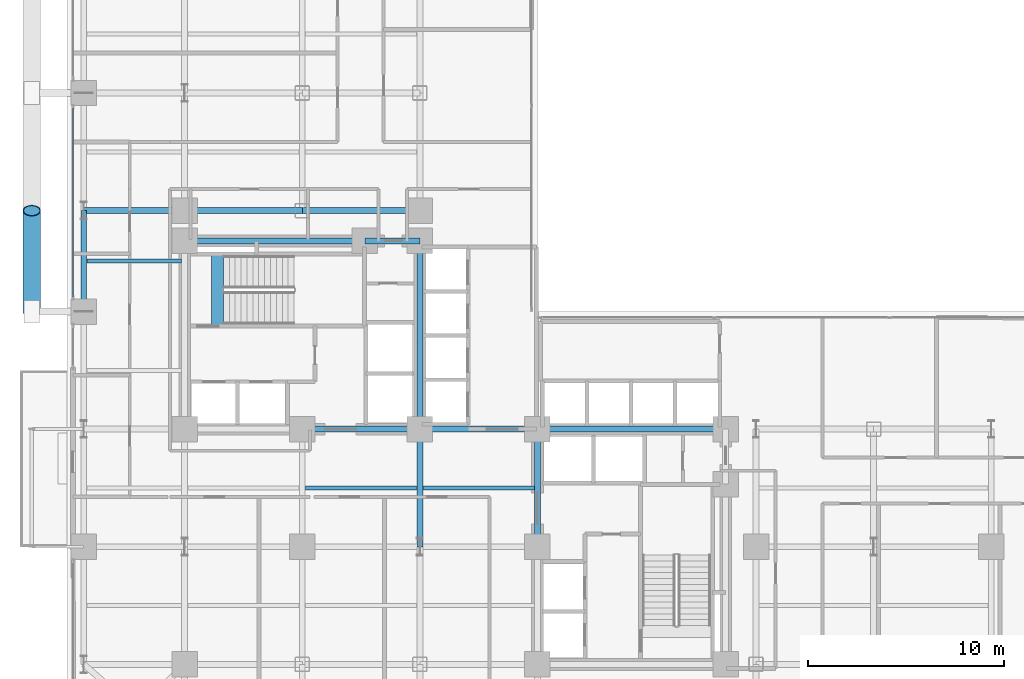
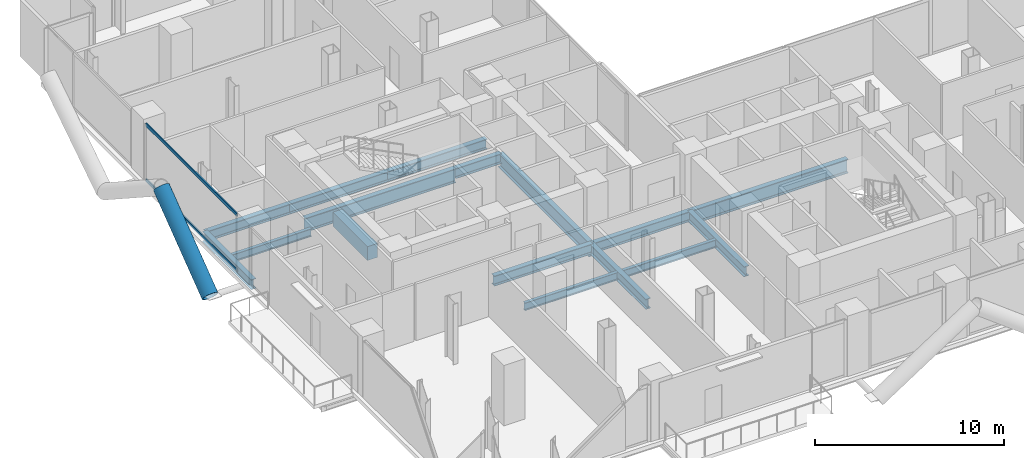
# One storey, part 6 of 25: 16 beams, 3 members, 1 element without a shape of its own.
"""IFC4 building model written with IfcOpenShell, lengths in metres."""

import ifcopenshell
import ifcopenshell.guid

model = None  # the IFC model being written
_history = None  # IfcOwnerHistory: only IFC2X3 demands one
_inside = {}  # id of a spatial element -> (the spatial element, [elements in it])
_under = {}  # id of a project, library or spatial element -> (it, [spatial elements below it])
_declared = {}  # id of a project -> (the project, [libraries it declares])
_typed = {}  # id of a type object -> (the type object, [elements of that type])
_made_of = {}  # id of a material, layer set ... -> (it, [elements and type objects made of it])


def new_model(schema):
    """Start an empty IFC model of exactly this schema.

    Asked for "IFC4X3", IfcOpenShell would pick the latest addendum, in which some entities
    have other attributes; the version numbers below select the first issue.
    IFC2X3 requires an IfcOwnerHistory on every rooted entity: one is made here for all.
    """
    global model, _history
    if schema == "IFC4X3":
        model = ifcopenshell.file(schema_version=(4, 3, 0, 0))
    else:
        model = ifcopenshell.file(schema=schema)
    _inside.clear()
    _under.clear()
    _declared.clear()
    _typed.clear()
    _made_of.clear()
    _history = None
    if model.schema == "IFC2X3":
        org = make("IfcOrganization", Name="unknown")
        user = make(
            "IfcPersonAndOrganization",
            ThePerson=make("IfcPerson", FamilyName="unknown"),
            TheOrganization=org,
        )
        app = make(
            "IfcApplication",
            ApplicationDeveloper=org,
            Version="unknown",
            ApplicationFullName="unknown",
            ApplicationIdentifier="unknown",
        )
        _history = make(
            "IfcOwnerHistory",
            OwningUser=user,
            OwningApplication=app,
            ChangeAction="ADDED",
            CreationDate=0,
        )
    return model


def make(cls, **values):
    """One entity of the class cls with the attributes given. An attribute that is None is left unset."""
    return model.create_entity(
        cls, **{name: value for name, value in values.items() if value is not None}
    )


def rooted(cls, **values):
    """An entity with a GlobalId (a new one), such as an element, a storey or a relation."""
    return make(cls, GlobalId=ifcopenshell.guid.new(), OwnerHistory=_history, **values)


def si_unit(unit_type, name, prefix=None):
    """IfcSIUnit, for example si_unit("LENGTHUNIT", "METRE", prefix="MILLI")."""
    return make("IfcSIUnit", UnitType=unit_type, Prefix=prefix, Name=name)


def assignment(units):
    """IfcUnitAssignment: the units of a project."""
    return None if units is None else make("IfcUnitAssignment", Units=units)


def point(xyz):
    """IfcCartesianPoint."""
    return None if xyz is None else make("IfcCartesianPoint", Coordinates=xyz)


def direction(xyz):
    """IfcDirection."""
    return None if xyz is None else make("IfcDirection", DirectionRatios=xyz)


def frame(location, z_axis=None, x_axis=None):
    """IfcAxis2Placement3D, a coordinate frame: its origin and axes. An axis left out is left unset."""
    return make(
        "IfcAxis2Placement3D",
        Location=point(location),
        Axis=direction(z_axis),
        RefDirection=direction(x_axis),
    )


def frame_2d(location, x_axis=None):
    """IfcAxis2Placement2D, a coordinate frame in the plane: its origin and x axis."""
    return make(
        "IfcAxis2Placement2D", Location=point(location), RefDirection=direction(x_axis)
    )


def origin():
    """The frame at (0, 0, 0) with its axes left unset."""
    return frame((0.0, 0.0, 0.0))


def origin_2d():
    """The frame at (0, 0) in the plane with its x axis left unset."""
    return frame_2d((0.0, 0.0))


def place(relative_to, where):
    """IfcLocalPlacement: puts the frame where relative to a parent placement (None: the world)."""
    return make(
        "IfcLocalPlacement", PlacementRelTo=relative_to, RelativePlacement=where
    )


def context(
    kind, dimensions, precision=None, world=None, true_north=None, identifier=None
):
    """IfcGeometricRepresentationContext, for example the 3D "Model" context."""
    return make(
        "IfcGeometricRepresentationContext",
        ContextIdentifier=identifier,
        ContextType=kind,
        CoordinateSpaceDimension=dimensions,
        Precision=precision,
        WorldCoordinateSystem=world,
        TrueNorth=true_north,
    )


def subcontext(parent, identifier, kind, view, scale=None):
    """IfcGeometricRepresentationSubContext, for example "Body" below "Model"."""
    return make(
        "IfcGeometricRepresentationSubContext",
        ContextIdentifier=identifier,
        ContextType=kind,
        ParentContext=parent,
        TargetScale=scale,
        TargetView=view,
    )


def project(units=None, contexts=None):
    """IfcProject with its units and contexts."""
    return rooted(
        "IfcProject",
        Name="project",
        RepresentationContexts=contexts,
        UnitsInContext=assignment(units),
    )


def spatial(cls, under=None, at=None, **own):
    """A site, building, storey or space (cls), placed at a placement, below another one or the project."""
    s = rooted(cls, ObjectPlacement=at, **own)
    if under is not None:
        _under.setdefault(under.id(), (under, []))[1].append(s)
    return s


def profile(cls, at=None, kind="AREA", **sizes):
    """A parametric profile (cls). Its sizes go by their IFC names, for example OverallWidth=200.0."""
    return make(cls, ProfileType=kind, Position=at, **sizes)


def rectangle(**sizes):
    """IfcRectangleProfileDef."""
    return profile("IfcRectangleProfileDef", **sizes)


def hollow_rectangle(**sizes):
    """IfcRectangleHollowProfileDef."""
    return profile("IfcRectangleHollowProfileDef", **sizes)


def hollow_circle(**sizes):
    """IfcCircleHollowProfileDef."""
    return profile("IfcCircleHollowProfileDef", **sizes)


def i_section(**sizes):
    """IfcIShapeProfileDef."""
    return profile("IfcIShapeProfileDef", **sizes)


def extrude(swept, where, along, depth):
    """IfcExtrudedAreaSolid: the profile swept, set in the frame where, extruded along a direction by depth."""
    return make(
        "IfcExtrudedAreaSolid",
        SweptArea=swept,
        Position=where,
        ExtrudedDirection=direction(along),
        Depth=depth,
    )


def shape(context_of_items, identifier, shape_type, items):
    """IfcShapeRepresentation: the items that make up one representation, for example the "Body"."""
    return make(
        "IfcShapeRepresentation",
        ContextOfItems=context_of_items,
        RepresentationIdentifier=identifier,
        RepresentationType=shape_type,
        Items=items,
    )


def material(Name=None, Category=None):
    """IfcMaterial."""
    return make("IfcMaterial", Name=Name, Category=Category)


def layer(
    of_material, thickness, ventilated=None, Name=None, Category=None, Priority=None
):
    """IfcMaterialLayer: one layer of a wall or slab, of a material (None: an air gap)."""
    return make(
        "IfcMaterialLayer",
        Material=of_material,
        LayerThickness=thickness,
        IsVentilated=ventilated,
        Name=Name,
        Category=Category,
        Priority=Priority,
    )


def layer_set(layers, Name=None):
    """IfcMaterialLayerSet."""
    return make("IfcMaterialLayerSet", MaterialLayers=layers, LayerSetName=Name)


def material_profile(
    of_material, cross_section, Name=None, Category=None, Priority=None
):
    """IfcMaterialProfile: a cross section and its material."""
    return make(
        "IfcMaterialProfile",
        Name=Name,
        Material=of_material,
        Profile=cross_section,
        Priority=Priority,
        Category=Category,
    )


def profile_set(profiles, Name=None, composite=None):
    """IfcMaterialProfileSet."""
    return make(
        "IfcMaterialProfileSet",
        Name=Name,
        MaterialProfiles=profiles,
        CompositeProfile=composite,
    )


def made_of(thing, what):
    """Note that an element or type object is made of a material, layer set ...; save() writes the relation."""
    if what is not None:
        _made_of.setdefault(what.id(), (what, []))[1].append(thing)
    return thing


def type_object(cls, material=None, **own):
    """A type object (cls), such as IfcWallType, which elements share."""
    return made_of(rooted(cls, **own), material)


def element(
    cls,
    number,
    at=None,
    inside=None,
    cuts=None,
    type_object=None,
    material=None,
    context=None,
    identifier="Body",
    shape_type=None,
    held_by="IfcProductDefinitionShape",
    body=None,
    shapes=None,
    **own,
):
    """One element of the class cls, such as IfcWall. Its Tag is "e" and its number.

    at: its placement. inside: the storey or other place that contains it. cuts: it is an
    opening in that element (IfcRelVoidsElement). A single representation is given by context,
    identifier, shape_type and body (its items); several are given by shapes. held_by: the class
    of the entity that holds the representations. save() writes the other relations.
    """
    e = rooted(cls, Tag="e%d" % number, ObjectPlacement=at, **own)
    if body is not None:
        shapes = [shape(context, identifier, shape_type, body)]
    if shapes is not None:
        e.Representation = make(held_by, Representations=shapes)
    if inside is not None:
        _inside.setdefault(inside.id(), (inside, []))[1].append(e)
    if cuts is not None:
        rooted(
            "IfcRelVoidsElement", RelatingBuildingElement=cuts, RelatedOpeningElement=e
        )
    if type_object is not None:
        _typed.setdefault(type_object.id(), (type_object, []))[1].append(e)
    return made_of(e, material)


def aggregate(whole, parts):
    """IfcRelAggregates: a whole, such as a stair, and the parts it consists of."""
    return rooted("IfcRelAggregates", RelatingObject=whole, RelatedObjects=parts)


def save(model, path):
    """Write the relations noted so far, then the file.

    IfcRelAggregates (storeys below a building ...), IfcRelContainedInSpatialStructure (elements
    in a storey), IfcRelDefinesByType, IfcRelAssociatesMaterial and IfcRelDeclares: one each for
    every whole, place, type object, material and project.
    """
    for whole, parts in _under.values():
        aggregate(whole, parts)
    for where, things in _inside.values():
        rooted(
            "IfcRelContainedInSpatialStructure",
            RelatedElements=things,
            RelatingStructure=where,
        )
    for kind, things in _typed.values():
        rooted("IfcRelDefinesByType", RelatedObjects=things, RelatingType=kind)
    for what, things in _made_of.values():
        rooted("IfcRelAssociatesMaterial", RelatedObjects=things, RelatingMaterial=what)
    for by, libraries in _declared.values():
        rooted("IfcRelDeclares", RelatingContext=by, RelatedDefinitions=libraries)
    model.write(path)


model = new_model("IFC4")

# Units and contexts
model_context = context("Model", 3, precision=1e-05, world=origin(), true_north=direction((0.0, 1.0)))
body_context = subcontext(model_context, "Body", "Model", "MODEL_VIEW")
ifc_project = project(units=[si_unit("LENGTHUNIT", "METRE"), si_unit("AREAUNIT", "SQUARE_METRE"), si_unit("VOLUMEUNIT", "CUBIC_METRE"), si_unit("PLANEANGLEUNIT", "RADIAN"), si_unit("MASSUNIT", "GRAM", prefix="KILO"), si_unit("THERMODYNAMICTEMPERATUREUNIT", "KELVIN"), si_unit("POWERUNIT", "WATT")], contexts=[model_context])

# Site, building, storey
site_placement = place(None, origin())
site = spatial("IfcSite", under=ifc_project, at=site_placement, CompositionType="ELEMENT")
building_placement = place(site_placement, origin())
building = spatial("IfcBuilding", under=site, at=building_placement, Name="Svarakhadi Broadcast Tower", CompositionType="ELEMENT")
storey_placement = place(building_placement, frame((0.0, 0.0, 67.5)))
storey = spatial("IfcBuildingStorey", under=building, at=storey_placement, Name="L15", CompositionType="ELEMENT", Elevation=67.5)

# Beams
ifc_material_1 = material(Name="Steel S355J2 (IS 2062 E350C)", Category="steel")
ifc_material_profile_1 = material_profile(ifc_material_1, i_section(OverallWidth=0.199951171875, OverallDepth=0.5, WebThickness=0.01025390625, FlangeThickness=0.01611328125, FilletRadius=0.02099609375, at=origin_2d()), Name="NPB 500x200x91")
ifc_profile_set_1 = profile_set([ifc_material_profile_1], Name="Steel S355J2 (IS 2062 E350C)")
beam_type_1 = type_object("IfcBeamType", Name="Beam_NPB500", PredefinedType="BEAM", material=ifc_profile_set_1)
beam_1_placement = place(storey_placement, frame((1.010009765625, 26.574951171875, -0.5), z_axis=(1.0, 0.0, 0.0), x_axis=(0.0, 1.0, 0.0)))
element("IfcBeam", 1, at=beam_1_placement, inside=storey, type_object=beam_type_1, Name="L15 Secondary Composite Beam SB004", PredefinedType="BEAM", context=body_context, shape_type="SweptSolid", body=[
    extrude(i_section(OverallWidth=0.199951171875, OverallDepth=0.5, WebThickness=0.01025390625, FlangeThickness=0.01611328125, FilletRadius=0.02099609375, at=origin_2d()), origin(), (0.0, 0.0, 1.0), 4.830078125),
])
for number, where, z_axis, x_axis, name in (
    (2, (12.159912109375, 15.0, -0.5), (1.0, 0.0, 0.0), (0.0, 1.0, 0.0), "L15 Secondary Composite Beam SB015"),
    (3, (18.159912109375, 15.0, -0.5), (1.0, 0.0, 0.0), (0.0, 1.0, 0.0), "L15 Secondary Composite Beam SB021"),
):
    element("IfcBeam", number, at=place(storey_placement, frame(where, z_axis=z_axis, x_axis=x_axis)), inside=storey, type_object=beam_type_1, Name=name, PredefinedType="BEAM", context=body_context, shape_type="SweptSolid", body=[
        extrude(i_section(OverallWidth=0.199951171875, OverallDepth=0.5, WebThickness=0.01025390625, FlangeThickness=0.01611328125, FilletRadius=0.02099609375, at=origin_2d()), origin(), (0.0, 0.0, 1.0), 5.68017578125),
    ])

# Curtain wall, members
ifc_material_2 = material(Name="Anodised Bronze Aluminium AA 6063-T6", Category="aluminium")
ifc_layer = layer(ifc_material_2, 0.219970703125)
ifc_layer_set = layer_set([ifc_layer], Name="Anodised Bronze Aluminium AA 6063-T6")
curtain_wall_type = type_object("IfcCurtainWallType", Name="CW_Sys_02", PredefinedType="NOTDEFINED", material=ifc_layer_set)
curtain_wall_placement = place(storey_placement, origin())
curtain_wall = element("IfcCurtainWall", 4, at=curtain_wall_placement, inside=storey, type_object=curtain_wall_type, Name="L15 West Curtain Wall 03 Bay 2", PredefinedType="NOTDEFINED")
ifc_material_profile_2 = material_profile(ifc_material_2, hollow_rectangle(XDim=0.074951171875, YDim=0.199951171875, WallThickness=0.0048828125, at=origin_2d()), Name="ALU TRANSOM 200x75x5")
ifc_profile_set_2 = profile_set([ifc_material_profile_2], Name="Anodised Bronze Aluminium AA 6063-T6")
member_type_1 = type_object("IfcMemberType", Name="CW_Sys_02_Trn", PredefinedType="USERDEFINED", material=ifc_profile_set_2)
member_1_placement = place(storey_placement, frame((0.300048828125, 24.7548828125, 0.03759765625), z_axis=(0.0, 1.0, 0.0), x_axis=(-1.0, 0.0, 0.0)))
member_1 = element("IfcMember", 5, at=member_1_placement, type_object=member_type_1, Name="CW-02 transom 1.1", ObjectType="TRANSOM", PredefinedType="USERDEFINED", context=body_context, shape_type="SweptSolid", body=[
    extrude(hollow_rectangle(XDim=0.074951171875, YDim=0.199951171875, WallThickness=0.0048828125, at=origin_2d()), origin(), (0.0, 0.0, 1.0), 9.64013671875),
])
member_2_placement = place(storey_placement, frame((0.300048828125, 24.7548828125, 3.612548828125), z_axis=(0.0, 1.0, 0.0), x_axis=(-1.0, 0.0, 0.0)))
member_2 = element("IfcMember", 6, at=member_2_placement, type_object=member_type_1, Name="CW-02 transom 1.2", ObjectType="TRANSOM", PredefinedType="USERDEFINED", context=body_context, shape_type="SweptSolid", body=[
    extrude(hollow_rectangle(XDim=0.074951171875, YDim=0.199951171875, WallThickness=0.0048828125, at=origin_2d()), origin(), (0.0, 0.0, 1.0), 9.64013671875),
])
aggregate(curtain_wall, [member_1, member_2])

# Beam
ifc_material_3 = material(Name="Concrete C50/60 (IS 456 M60)", Category="concrete")
ifc_material_profile_3 = material_profile(ifc_material_3, rectangle(XDim=0.60009765625, YDim=0.89990234375, at=origin_2d()), Name="RC 600x900")
ifc_profile_set_3 = profile_set([ifc_material_profile_3], Name="Concrete C50/60 (IS 456 M60)")
beam_type_2 = type_object("IfcBeamType", Name="Coupling_RC600", PredefinedType="USERDEFINED", material=ifc_profile_set_3)
beam_2_placement = place(storey_placement, frame((7.679931640625, 23.260009765625, -0.449951171875), z_axis=(0.0, 1.0, 0.0), x_axis=(-1.0, 0.0, 0.0)))
element("IfcBeam", 7, at=beam_2_placement, inside=storey, type_object=beam_type_2, Name="L15 Stair ST-01 Landing Throat Trimmer Beam CB-01", ObjectType="GIRDER", PredefinedType="USERDEFINED", context=body_context, shape_type="SweptSolid", body=[
    extrude(rectangle(XDim=0.60009765625, YDim=0.89990234375, at=origin_2d()), origin(), (0.0, 0.0, 1.0), 3.679931640625),
])

# Member
ifc_material_4 = material(Name="Steel S460ML (IS 2062 E450BR)", Category="steel")
ifc_material_profile_4 = material_profile(ifc_material_4, hollow_circle(Radius=0.45703125, WallThickness=0.044921875, at=origin_2d()), Name="CHS 914x45")
ifc_profile_set_4 = profile_set([ifc_material_profile_4], Name="Steel S460ML (IS 2062 E450BR)")
member_type_2 = type_object("IfcMemberType", Name="Exo_Brace_CHS914", PredefinedType="BRACE", material=ifc_profile_set_4)
member_3_placement = place(storey_placement, frame((-1.800048828125, 24.0, -0.427734375), z_axis=(0.0, 0.797206791841, 0.603706328476), x_axis=(-1.0, 0.0, 0.0)))
element("IfcMember", 8, at=member_3_placement, inside=storey, type_object=member_type_2, Name="L15 Exposed Bronze Exoskeleton Diagonal W05", PredefinedType="BRACE", context=body_context, shape_type="SweptSolid", body=[
    extrude(hollow_circle(Radius=0.45703125, WallThickness=0.044921875, at=origin_2d()), origin(), (0.0, 0.0, 1.0), 6.4599609375),
])

# Beams
ifc_material_profile_5 = material_profile(ifc_material_1, i_section(OverallWidth=0.300048828125, OverallDepth=0.64990234375, WebThickness=0.01611328125, FlangeThickness=0.031005859375, FilletRadius=0.027099609375, at=origin_2d()), Name="WPB 650x300x225")
ifc_profile_set_5 = profile_set([ifc_material_profile_5], Name="Steel S355J2 (IS 2062 E350C)")
beam_type_3 = type_object("IfcBeamType", Name="Girder_WPB650", PredefinedType="USERDEFINED", material=ifc_profile_set_5)
for number, where, z_axis, x_axis, name in (
    (9, (12.0, 18.0, -0.574951171875), (1.0, 0.0, 0.0), (0.0, 1.0, 0.0), "L15 Primary E-W Girder G027"),
    (10, (18.0, 18.0, -0.574951171875), (1.0, 0.0, 0.0), (0.0, 1.0, 0.0), "L15 Primary E-W Girder G028"),
):
    element("IfcBeam", number, at=place(storey_placement, frame(where, z_axis=z_axis, x_axis=x_axis)), inside=storey, type_object=beam_type_3, Name=name, ObjectType="GIRDER", PredefinedType="USERDEFINED", context=body_context, shape_type="SweptSolid", body=[
        extrude(i_section(OverallWidth=0.300048828125, OverallDepth=0.64990234375, WebThickness=0.01611328125, FlangeThickness=0.031005859375, FilletRadius=0.027099609375, at=origin_2d()), origin(), (0.0, 0.0, 1.0), 6.0),
    ])
beam_3_placement = place(storey_placement, frame((15.199951171875, 27.60009765625, -0.574951171875), z_axis=(1.0, 0.0, 0.0), x_axis=(0.0, 1.0, 0.0)))
element("IfcBeam", 11, at=beam_3_placement, inside=storey, type_object=beam_type_3, Name="L15 Primary E-W Girder G033", ObjectType="GIRDER", PredefinedType="USERDEFINED", context=body_context, shape_type="SweptSolid", body=[
    extrude(i_section(OverallWidth=0.300048828125, OverallDepth=0.64990234375, WebThickness=0.01611328125, FlangeThickness=0.031005859375, FilletRadius=0.027099609375, at=origin_2d()), origin(), (0.0, 0.0, 1.0), 2.800048828125),
])
beam_4_placement = place(storey_placement, frame((0.85009765625, 29.14990234375, -0.574951171875), z_axis=(1.0, 0.0, 0.0), x_axis=(0.0, 1.0, 0.0)))
element("IfcBeam", 12, at=beam_4_placement, inside=storey, type_object=beam_type_3, Name="L15 Primary E-W Girder G034", ObjectType="GIRDER", PredefinedType="USERDEFINED", context=body_context, shape_type="SweptSolid", body=[
    extrude(i_section(OverallWidth=0.300048828125, OverallDepth=0.64990234375, WebThickness=0.01611328125, FlangeThickness=0.031005859375, FilletRadius=0.027099609375, at=origin_2d()), origin(), (0.0, 0.0, 1.0), 5.14990234375),
])
for number, where, z_axis, x_axis, name in (
    (13, (6.0, 29.14990234375, -0.574951171875), (1.0, 0.0, 0.0), (0.0, 1.0, 0.0), "L15 Primary E-W Girder G035"),
    (14, (12.0, 29.14990234375, -0.574951171875), (1.0, 0.0, 0.0), (0.0, 1.0, 0.0), "L15 Primary E-W Girder G036"),
):
    element("IfcBeam", number, at=place(storey_placement, frame(where, z_axis=z_axis, x_axis=x_axis)), inside=storey, type_object=beam_type_3, Name=name, ObjectType="GIRDER", PredefinedType="USERDEFINED", context=body_context, shape_type="SweptSolid", body=[
        extrude(i_section(OverallWidth=0.300048828125, OverallDepth=0.64990234375, WebThickness=0.01611328125, FlangeThickness=0.031005859375, FilletRadius=0.027099609375, at=origin_2d()), origin(), (0.0, 0.0, 1.0), 6.0),
    ])
beam_5_placement = place(storey_placement, frame((0.85009765625, 24.0, -0.574951171875), z_axis=(0.0, 1.0, 0.0), x_axis=(-1.0, 0.0, 0.0)))
element("IfcBeam", 15, at=beam_5_placement, inside=storey, type_object=beam_type_3, Name="L15 Primary N-S Girder G048", ObjectType="GIRDER", PredefinedType="USERDEFINED", context=body_context, shape_type="SweptSolid", body=[
    extrude(i_section(OverallWidth=0.300048828125, OverallDepth=0.64990234375, WebThickness=0.01611328125, FlangeThickness=0.031005859375, FilletRadius=0.027099609375, at=origin_2d()), origin(), (0.0, 0.0, 1.0), 5.14990234375),
])
for number, where, z_axis, x_axis, name in (
    (16, (18.0, 12.0, -0.574951171875), (0.0, 1.0, 0.0), (-1.0, 0.0, 0.0), "L15 Primary N-S Girder G066"),
    (17, (24.0, 12.0, -0.574951171875), (0.0, 1.0, 0.0), (-1.0, 0.0, 0.0), "L15 Primary N-S Girder G073"),
):
    element("IfcBeam", number, at=place(storey_placement, frame(where, z_axis=z_axis, x_axis=x_axis)), inside=storey, type_object=beam_type_3, Name=name, ObjectType="GIRDER", PredefinedType="USERDEFINED", context=body_context, shape_type="SweptSolid", body=[
        extrude(i_section(OverallWidth=0.300048828125, OverallDepth=0.64990234375, WebThickness=0.01611328125, FlangeThickness=0.031005859375, FilletRadius=0.027099609375, at=origin_2d()), origin(), (0.0, 0.0, 1.0), 6.0),
    ])
ifc_material_profile_6 = material_profile(ifc_material_4, i_section(OverallWidth=0.300048828125, OverallDepth=0.89990234375, WebThickness=0.0185546875, FlangeThickness=0.034912109375, FilletRadius=0.030029296875, at=origin_2d()), Name="WPB 900x300x291")
ifc_profile_set_6 = profile_set([ifc_material_profile_6], Name="Steel S460ML (IS 2062 E450BR)")
beam_type_4 = type_object("IfcBeamType", Name="Girder_WPB900", PredefinedType="USERDEFINED", material=ifc_profile_set_6)
beam_6_placement = place(storey_placement, frame((24.0, 18.0, -0.699951171875), z_axis=(1.0, 0.0, 0.0), x_axis=(0.0, 1.0, 0.0)))
element("IfcBeam", 18, at=beam_6_placement, inside=storey, type_object=beam_type_4, Name="L15 Primary E-W Girder G029", ObjectType="GIRDER", PredefinedType="USERDEFINED", context=body_context, shape_type="SweptSolid", body=[
    extrude(i_section(OverallWidth=0.300048828125, OverallDepth=0.89990234375, WebThickness=0.0185546875, FlangeThickness=0.034912109375, FilletRadius=0.030029296875, at=origin_2d()), origin(), (0.0, 0.0, 1.0), 9.60009765625),
])
beam_7_placement = place(storey_placement, frame((6.0, 27.60009765625, -0.699951171875), z_axis=(1.0, 0.0, 0.0), x_axis=(0.0, 1.0, 0.0)))
element("IfcBeam", 19, at=beam_7_placement, inside=storey, type_object=beam_type_4, Name="L15 Primary E-W Girder G032", ObjectType="GIRDER", PredefinedType="USERDEFINED", context=body_context, shape_type="SweptSolid", body=[
    extrude(i_section(OverallWidth=0.300048828125, OverallDepth=0.89990234375, WebThickness=0.0185546875, FlangeThickness=0.034912109375, FilletRadius=0.030029296875, at=origin_2d()), origin(), (0.0, 0.0, 1.0), 9.199951171875),
])
beam_8_placement = place(storey_placement, frame((18.0, 18.0, -0.699951171875), z_axis=(0.0, 1.0, 0.0), x_axis=(-1.0, 0.0, 0.0)))
element("IfcBeam", 20, at=beam_8_placement, inside=storey, type_object=beam_type_4, Name="L15 Primary N-S Girder G067", ObjectType="GIRDER", PredefinedType="USERDEFINED", context=body_context, shape_type="SweptSolid", body=[
    extrude(i_section(OverallWidth=0.300048828125, OverallDepth=0.89990234375, WebThickness=0.0185546875, FlangeThickness=0.034912109375, FilletRadius=0.030029296875, at=origin_2d()), origin(), (0.0, 0.0, 1.0), 9.60009765625),
])

save(model, "model.ifc")
